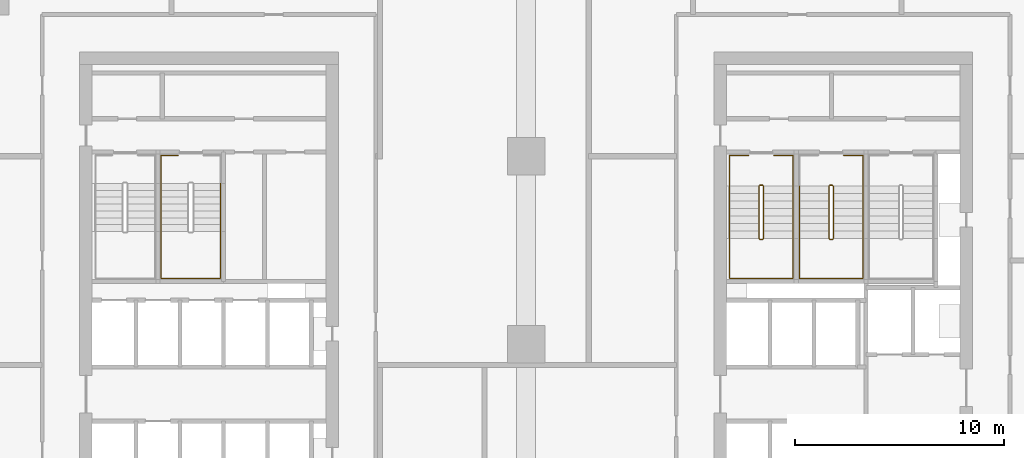
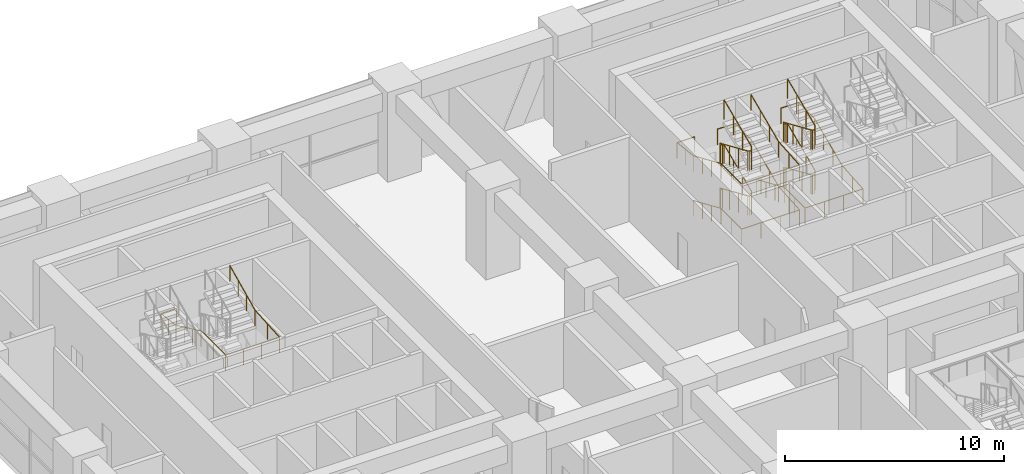
# One storey, part 25 of 26: 6 railings.
"""IFC4 building model written with IfcOpenShell, lengths in metres."""

from ifc_helpers import new_model, si_unit, direction, frame, origin, origin_2d, place, context, subcontext, project, spatial, circle, extrude, material, type_object, element, save


model = new_model("IFC4")

# Units and contexts
model_context = context("Model", 3, precision=1e-05, world=origin(), true_north=direction((0.0, 1.0)))
body_context = subcontext(model_context, "Body", "Model", "MODEL_VIEW")
ifc_project = project(units=[si_unit("LENGTHUNIT", "METRE"), si_unit("AREAUNIT", "SQUARE_METRE"), si_unit("VOLUMEUNIT", "CUBIC_METRE"), si_unit("PLANEANGLEUNIT", "RADIAN"), si_unit("MASSUNIT", "GRAM", prefix="KILO")], contexts=[model_context])

# Site, building, storey
site_placement = place(None, origin())
site = spatial("IfcSite", under=ifc_project, at=site_placement, CompositionType="ELEMENT")
building_placement = place(site_placement, origin())
building = spatial("IfcBuilding", under=site, at=building_placement, Name="Tessera Arch", CompositionType="ELEMENT")
storey_placement = place(building_placement, frame((0.0, 0.0, 72.800048828125)))
storey = spatial("IfcBuildingStorey", under=building, at=storey_placement, Name="L16", CompositionType="ELEMENT", Elevation=72.800048828125)

# Railings
ifc_material_1 = material(Name="Painted steel balustrade", Category="steel")
railing_type_1 = type_object("IfcRailingType", Name="Stair guard 1100", PredefinedType="GUARDRAIL", material=ifc_material_1)
railing_1_placement = place(storey_placement, frame((38.219970703125, 43.6298828125, 0.0)))
element("IfcRailing", 1, at=railing_1_placement, inside=storey, type_object=railing_type_1, Name="L16 S1a stair guard 1", PredefinedType="GUARDRAIL", context=body_context, shape_type="SweptSolid", body=[
    extrude(circle(Radius=0.02392578125, at=origin_2d()), frame((-0.00390625, 0.0, 1.076171875), z_axis=(1.0, 0.0, 0.0), x_axis=(0.0, 1.0, 0.0)), (0.0, 0.0, 1.0), 0.1181640625),
    extrude(circle(Radius=0.02392578125, at=origin_2d()), frame((0.11279296875, 0.0009765625, 1.0732421875), z_axis=(-0.698682510115, -0.217273219609, 0.681641473283), x_axis=(0.296948579431, -0.954893471113, 0.0)), (0.0, 0.0, 1.0), 0.2373046875),
    extrude(circle(Radius=0.02392578125, at=origin_2d()), frame((-0.050048828125, -0.046142578125, 1.230712890625), z_axis=(0.0, -0.917324189904, 0.398141093855), x_axis=(1.0, 0.0, 0.0)), (0.0, 0.0, 1.0), 2.755126953125),
    extrude(circle(Radius=0.02392578125, at=origin_2d()), frame((-0.052978515625, -2.56689453125, 2.326171875), z_axis=(0.707106781187, -0.707106781187, 0.0), x_axis=(0.707106781187, 0.707106781187, 0.0)), (0.0, 0.0, 1.0), 0.078857421875),
    extrude(circle(Radius=0.02392578125, at=origin_2d()), frame((-0.00390625, -2.619873046875, 2.326171875), z_axis=(1.0, 0.0, 0.0), x_axis=(0.0, 1.0, 0.0)), (0.0, 0.0, 1.0), 0.1181640625),
    extrude(circle(Radius=0.02392578125, at=origin_2d()), frame((0.10888671875, -2.62109375, 2.322509765625), z_axis=(0.290469530425, 0.291893400672, 0.911276958196), x_axis=(-0.708833529934, 0.705375805398, 0.0)), (0.0, 0.0, 1.0), 0.179443359375),
    extrude(circle(Radius=0.02392578125, at=origin_2d()), frame((0.159912109375, -2.573486328125, 2.480712890625), z_axis=(0.0, 0.917324189904, 0.398141093855), x_axis=(-1.0, 0.0, 0.0)), (0.0, 0.0, 1.0), 2.755126953125),
    extrude(circle(Radius=0.02392578125, at=origin_2d()), frame((0.163818359375, -0.051025390625, 3.576171875), z_axis=(-0.954764847777, 0.297361876254, 0.0), x_axis=(-0.297361876254, -0.954764847777, 0.0)), (0.0, 0.0, 1.0), 0.175537109375),
    extrude(circle(Radius=0.02392578125, at=origin_2d()), frame((-0.00390625, 0.0, 3.576171875), z_axis=(1.0, 0.0, 0.0), x_axis=(0.0, 1.0, 0.0)), (0.0, 0.0, 1.0), 0.1181640625),
    extrude(circle(Radius=0.02392578125, at=origin_2d()), frame((0.11279296875, 0.0009765625, 3.5732421875), z_axis=(-0.698682510115, -0.217273219609, 0.681641473283), x_axis=(0.296948579431, -0.954893471113, 0.0)), (0.0, 0.0, 1.0), 0.2373046875),
    extrude(circle(Radius=0.02392578125, at=origin_2d()), frame((-0.050048828125, -0.046142578125, 3.730712890625), z_axis=(0.0, -0.917324189904, 0.398141093855), x_axis=(1.0, 0.0, 0.0)), (0.0, 0.0, 1.0), 2.755126953125),
    extrude(circle(Radius=0.02392578125, at=origin_2d()), frame((-0.052978515625, -2.56689453125, 4.826171875), z_axis=(0.707106781187, -0.707106781187, 0.0), x_axis=(0.707106781187, 0.707106781187, 0.0)), (0.0, 0.0, 1.0), 0.078857421875),
    extrude(circle(Radius=0.02392578125, at=origin_2d()), frame((-0.00390625, -2.619873046875, 4.826171875), z_axis=(1.0, 0.0, 0.0), x_axis=(0.0, 1.0, 0.0)), (0.0, 0.0, 1.0), 0.1181640625),
    extrude(circle(Radius=0.02392578125, at=origin_2d()), frame((0.10888671875, -2.62109375, 4.822509765625), z_axis=(0.290469530425, 0.291893400672, 0.911276958196), x_axis=(-0.708833529934, 0.705375805398, 0.0)), (0.0, 0.0, 1.0), 0.179443359375),
    extrude(circle(Radius=0.02392578125, at=origin_2d()), frame((0.159912109375, -2.573486328125, 4.980712890625), z_axis=(0.0, 0.917324189904, 0.398141093855), x_axis=(-1.0, 0.0, 0.0)), (0.0, 0.0, 1.0), 2.755126953125),
    extrude(circle(Radius=0.02099609375, at=origin_2d()), origin(), (0.0, 0.0, 1.0), 1.06396484375),
    extrude(circle(Radius=0.02099609375, at=origin_2d()), frame((0.110107421875, 0.0, 0.0)), (0.0, 0.0, 1.0), 1.06396484375),
    extrude(circle(Radius=0.02099609375, at=origin_2d()), frame((-0.050048828125, -0.0498046875, 0.15625)), (0.0, 0.0, 1.0), 1.06396484375),
    extrude(circle(Radius=0.02099609375, at=origin_2d()), frame((-0.050048828125, -0.889892578125, 0.520751953125)), (0.0, 0.0, 1.0), 1.06396484375),
    extrude(circle(Radius=0.02099609375, at=origin_2d()), frame((-0.050048828125, -1.729736328125, 0.885498046875)), (0.0, 0.0, 1.0), 1.06396484375),
    extrude(circle(Radius=0.02099609375, at=origin_2d()), frame((-0.050048828125, -2.56982421875, 1.25)), (0.0, 0.0, 1.0), 1.06396484375),
    extrude(circle(Radius=0.02099609375, at=origin_2d()), frame((0.0, -2.619873046875, 1.25)), (0.0, 0.0, 1.0), 1.06396484375),
    extrude(circle(Radius=0.02099609375, at=origin_2d()), frame((0.110107421875, -2.619873046875, 1.25)), (0.0, 0.0, 1.0), 1.06396484375),
    extrude(circle(Radius=0.02099609375, at=origin_2d()), frame((0.159912109375, -2.56982421875, 1.40625)), (0.0, 0.0, 1.0), 1.06396484375),
    extrude(circle(Radius=0.02099609375, at=origin_2d()), frame((0.159912109375, -1.729736328125, 1.770751953125)), (0.0, 0.0, 1.0), 1.06396484375),
    extrude(circle(Radius=0.02099609375, at=origin_2d()), frame((0.159912109375, -0.889892578125, 2.135498046875)), (0.0, 0.0, 1.0), 1.06396484375),
    extrude(circle(Radius=0.02099609375, at=origin_2d()), frame((0.159912109375, -0.0498046875, 2.5)), (0.0, 0.0, 1.0), 1.06396484375),
    extrude(circle(Radius=0.02099609375, at=origin_2d()), frame((0.0, 0.0, 2.5)), (0.0, 0.0, 1.0), 1.06396484375),
    extrude(circle(Radius=0.02099609375, at=origin_2d()), frame((0.110107421875, 0.0, 2.5)), (0.0, 0.0, 1.0), 1.06396484375),
    extrude(circle(Radius=0.02099609375, at=origin_2d()), frame((-0.050048828125, -0.0498046875, 2.65625)), (0.0, 0.0, 1.0), 1.06396484375),
    extrude(circle(Radius=0.02099609375, at=origin_2d()), frame((-0.050048828125, -0.889892578125, 3.020751953125)), (0.0, 0.0, 1.0), 1.06396484375),
    extrude(circle(Radius=0.02099609375, at=origin_2d()), frame((-0.050048828125, -1.729736328125, 3.385498046875)), (0.0, 0.0, 1.0), 1.06396484375),
    extrude(circle(Radius=0.02099609375, at=origin_2d()), frame((-0.050048828125, -2.56982421875, 3.75)), (0.0, 0.0, 1.0), 1.06396484375),
    extrude(circle(Radius=0.02099609375, at=origin_2d()), frame((0.0, -2.619873046875, 3.75)), (0.0, 0.0, 1.0), 1.06396484375),
    extrude(circle(Radius=0.02099609375, at=origin_2d()), frame((0.110107421875, -2.619873046875, 3.75)), (0.0, 0.0, 1.0), 1.06396484375),
    extrude(circle(Radius=0.02099609375, at=origin_2d()), frame((0.159912109375, -2.56982421875, 3.90625)), (0.0, 0.0, 1.0), 1.06396484375),
    extrude(circle(Radius=0.02099609375, at=origin_2d()), frame((0.159912109375, -1.729736328125, 4.270751953125)), (0.0, 0.0, 1.0), 1.06396484375),
    extrude(circle(Radius=0.02099609375, at=origin_2d()), frame((0.159912109375, -0.889892578125, 4.635498046875)), (0.0, 0.0, 1.0), 1.06396484375),
    extrude(circle(Radius=0.02099609375, at=origin_2d()), frame((0.159912109375, -0.0498046875, 5.0)), (0.0, 0.0, 1.0), 1.06396484375),
])
railing_2_placement = place(storey_placement, frame((41.570068359375, 43.6298828125, 0.0)))
element("IfcRailing", 2, at=railing_2_placement, inside=storey, type_object=railing_type_1, Name="L16 S1b stair guard 1", PredefinedType="GUARDRAIL", context=body_context, shape_type="SweptSolid", body=[
    extrude(circle(Radius=0.02392578125, at=origin_2d()), frame((-0.00390625, 0.0, 1.076171875), z_axis=(1.0, 0.0, 0.0), x_axis=(0.0, 1.0, 0.0)), (0.0, 0.0, 1.0), 0.117919921875),
    extrude(circle(Radius=0.02392578125, at=origin_2d()), frame((0.112548828125, 0.0009765625, 1.0732421875), z_axis=(-0.698136755474, -0.217434958957, 0.682148890844), x_axis=(0.297361876254, -0.954764847777, 0.0)), (0.0, 0.0, 1.0), 0.237060546875),
    extrude(circle(Radius=0.02392578125, at=origin_2d()), frame((-0.050048828125, -0.046142578125, 1.230712890625), z_axis=(0.0, -0.917324189904, 0.398141093855), x_axis=(1.0, 0.0, 0.0)), (0.0, 0.0, 1.0), 2.755126953125),
    extrude(circle(Radius=0.02392578125, at=origin_2d()), frame((-0.052978515625, -2.56689453125, 2.326171875), z_axis=(0.707106781187, -0.707106781187, 0.0), x_axis=(0.707106781187, 0.707106781187, 0.0)), (0.0, 0.0, 1.0), 0.078857421875),
    extrude(circle(Radius=0.02392578125, at=origin_2d()), frame((-0.00390625, -2.619873046875, 2.326171875), z_axis=(1.0, 0.0, 0.0), x_axis=(0.0, 1.0, 0.0)), (0.0, 0.0, 1.0), 0.117919921875),
    extrude(circle(Radius=0.02392578125, at=origin_2d()), frame((0.108642578125, -2.62109375, 2.322509765625), z_axis=(0.29177245553, 0.29177245553, 0.91089937336), x_axis=(-0.707106781187, 0.707106781187, 0.0)), (0.0, 0.0, 1.0), 0.179443359375),
    extrude(circle(Radius=0.02392578125, at=origin_2d()), frame((0.159912109375, -2.573486328125, 2.480712890625), z_axis=(0.0, 0.917324189904, 0.398141093855), x_axis=(-1.0, 0.0, 0.0)), (0.0, 0.0, 1.0), 2.755126953125),
    extrude(circle(Radius=0.02392578125, at=origin_2d()), frame((0.163818359375, -0.051025390625, 3.576171875), z_axis=(-0.954764847777, 0.297361876254, 0.0), x_axis=(-0.297361876254, -0.954764847777, 0.0)), (0.0, 0.0, 1.0), 0.175537109375),
    extrude(circle(Radius=0.02392578125, at=origin_2d()), frame((-0.00390625, 0.0, 3.576171875), z_axis=(1.0, 0.0, 0.0), x_axis=(0.0, 1.0, 0.0)), (0.0, 0.0, 1.0), 0.117919921875),
    extrude(circle(Radius=0.02392578125, at=origin_2d()), frame((0.112548828125, 0.0009765625, 3.5732421875), z_axis=(-0.698136755474, -0.217434958957, 0.682148890844), x_axis=(0.297361876254, -0.954764847777, 0.0)), (0.0, 0.0, 1.0), 0.237060546875),
    extrude(circle(Radius=0.02392578125, at=origin_2d()), frame((-0.050048828125, -0.046142578125, 3.730712890625), z_axis=(0.0, -0.917324189904, 0.398141093855), x_axis=(1.0, 0.0, 0.0)), (0.0, 0.0, 1.0), 2.755126953125),
    extrude(circle(Radius=0.02392578125, at=origin_2d()), frame((-0.052978515625, -2.56689453125, 4.826171875), z_axis=(0.707106781187, -0.707106781187, 0.0), x_axis=(0.707106781187, 0.707106781187, 0.0)), (0.0, 0.0, 1.0), 0.078857421875),
    extrude(circle(Radius=0.02392578125, at=origin_2d()), frame((-0.00390625, -2.619873046875, 4.826171875), z_axis=(1.0, 0.0, 0.0), x_axis=(0.0, 1.0, 0.0)), (0.0, 0.0, 1.0), 0.117919921875),
    extrude(circle(Radius=0.02392578125, at=origin_2d()), frame((0.108642578125, -2.62109375, 4.822509765625), z_axis=(0.29177245553, 0.29177245553, 0.91089937336), x_axis=(-0.707106781187, 0.707106781187, 0.0)), (0.0, 0.0, 1.0), 0.179443359375),
    extrude(circle(Radius=0.02392578125, at=origin_2d()), frame((0.159912109375, -2.573486328125, 4.980712890625), z_axis=(0.0, 0.917324189904, 0.398141093855), x_axis=(-1.0, 0.0, 0.0)), (0.0, 0.0, 1.0), 2.755126953125),
    extrude(circle(Radius=0.02099609375, at=origin_2d()), origin(), (0.0, 0.0, 1.0), 1.06396484375),
    extrude(circle(Radius=0.02099609375, at=origin_2d()), frame((0.10986328125, 0.0, 0.0)), (0.0, 0.0, 1.0), 1.06396484375),
    extrude(circle(Radius=0.02099609375, at=origin_2d()), frame((-0.050048828125, -0.0498046875, 0.15625)), (0.0, 0.0, 1.0), 1.06396484375),
    extrude(circle(Radius=0.02099609375, at=origin_2d()), frame((-0.050048828125, -0.889892578125, 0.520751953125)), (0.0, 0.0, 1.0), 1.06396484375),
    extrude(circle(Radius=0.02099609375, at=origin_2d()), frame((-0.050048828125, -1.729736328125, 0.885498046875)), (0.0, 0.0, 1.0), 1.06396484375),
    extrude(circle(Radius=0.02099609375, at=origin_2d()), frame((-0.050048828125, -2.56982421875, 1.25)), (0.0, 0.0, 1.0), 1.06396484375),
    extrude(circle(Radius=0.02099609375, at=origin_2d()), frame((0.0, -2.619873046875, 1.25)), (0.0, 0.0, 1.0), 1.06396484375),
    extrude(circle(Radius=0.02099609375, at=origin_2d()), frame((0.10986328125, -2.619873046875, 1.25)), (0.0, 0.0, 1.0), 1.06396484375),
    extrude(circle(Radius=0.02099609375, at=origin_2d()), frame((0.159912109375, -2.56982421875, 1.40625)), (0.0, 0.0, 1.0), 1.06396484375),
    extrude(circle(Radius=0.02099609375, at=origin_2d()), frame((0.159912109375, -1.729736328125, 1.770751953125)), (0.0, 0.0, 1.0), 1.06396484375),
    extrude(circle(Radius=0.02099609375, at=origin_2d()), frame((0.159912109375, -0.889892578125, 2.135498046875)), (0.0, 0.0, 1.0), 1.06396484375),
    extrude(circle(Radius=0.02099609375, at=origin_2d()), frame((0.159912109375, -0.0498046875, 2.5)), (0.0, 0.0, 1.0), 1.06396484375),
    extrude(circle(Radius=0.02099609375, at=origin_2d()), frame((0.0, 0.0, 2.5)), (0.0, 0.0, 1.0), 1.06396484375),
    extrude(circle(Radius=0.02099609375, at=origin_2d()), frame((0.10986328125, 0.0, 2.5)), (0.0, 0.0, 1.0), 1.06396484375),
    extrude(circle(Radius=0.02099609375, at=origin_2d()), frame((-0.050048828125, -0.0498046875, 2.65625)), (0.0, 0.0, 1.0), 1.06396484375),
    extrude(circle(Radius=0.02099609375, at=origin_2d()), frame((-0.050048828125, -0.889892578125, 3.020751953125)), (0.0, 0.0, 1.0), 1.06396484375),
    extrude(circle(Radius=0.02099609375, at=origin_2d()), frame((-0.050048828125, -1.729736328125, 3.385498046875)), (0.0, 0.0, 1.0), 1.06396484375),
    extrude(circle(Radius=0.02099609375, at=origin_2d()), frame((-0.050048828125, -2.56982421875, 3.75)), (0.0, 0.0, 1.0), 1.06396484375),
    extrude(circle(Radius=0.02099609375, at=origin_2d()), frame((0.0, -2.619873046875, 3.75)), (0.0, 0.0, 1.0), 1.06396484375),
    extrude(circle(Radius=0.02099609375, at=origin_2d()), frame((0.10986328125, -2.619873046875, 3.75)), (0.0, 0.0, 1.0), 1.06396484375),
    extrude(circle(Radius=0.02099609375, at=origin_2d()), frame((0.159912109375, -2.56982421875, 3.90625)), (0.0, 0.0, 1.0), 1.06396484375),
    extrude(circle(Radius=0.02099609375, at=origin_2d()), frame((0.159912109375, -1.729736328125, 4.270751953125)), (0.0, 0.0, 1.0), 1.06396484375),
    extrude(circle(Radius=0.02099609375, at=origin_2d()), frame((0.159912109375, -0.889892578125, 4.635498046875)), (0.0, 0.0, 1.0), 1.06396484375),
    extrude(circle(Radius=0.02099609375, at=origin_2d()), frame((0.159912109375, -0.0498046875, 5.0)), (0.0, 0.0, 1.0), 1.06396484375),
])
ifc_material_2 = material(Name="Painted steel handrail", Category="steel")
railing_type_2 = type_object("IfcRailingType", Name="Stair handrail 900", PredefinedType="HANDRAIL", material=ifc_material_2)
railing_3_placement = place(storey_placement, frame((36.75, 43.580078125, 0.15625)))
element("IfcRailing", 3, at=railing_3_placement, inside=storey, type_object=railing_type_2, Name="L16 S1a stair handrail", PredefinedType="HANDRAIL", context=body_context, shape_type="SweptSolid", body=[
    extrude(circle(Radius=0.02392578125, at=origin_2d()), frame((0.0, 0.003662109375, 0.874267578125), z_axis=(0.0, -0.917324189904, 0.398141093855), x_axis=(1.0, 0.0, 0.0)), (0.0, 0.0, 1.0), 2.755126953125),
    extrude(circle(Radius=0.02392578125, at=origin_2d()), frame((0.0, -2.51611328125, 1.9697265625), z_axis=(0.0, -1.0, 0.0), x_axis=(1.0, 0.0, 0.0)), (0.0, 0.0, 1.0), 1.918212890625),
    extrude(circle(Radius=0.02392578125, at=origin_2d()), frame((-0.00390625, -4.43017578125, 1.9697265625), z_axis=(1.0, 0.0, 0.0), x_axis=(0.0, 1.0, 0.0)), (0.0, 0.0, 1.0), 3.05810546875),
    extrude(circle(Radius=0.02392578125, at=origin_2d()), frame((3.050048828125, -4.43408203125, 1.96923828125), z_axis=(0.0, 0.996671109807, 0.081527289146), x_axis=(-1.0, 0.0, 0.0)), (0.0, 0.0, 1.0), 1.924560546875),
    extrude(circle(Radius=0.02392578125, at=origin_2d()), frame((3.050048828125, -2.523681640625, 2.124267578125), z_axis=(0.0, 0.917324189904, 0.398141093855), x_axis=(-1.0, 0.0, 0.0)), (0.0, 0.0, 1.0), 2.755126953125),
    extrude(circle(Radius=0.02392578125, at=origin_2d()), frame((3.050048828125, -0.00390625, 3.2197265625), z_axis=(0.0, 1.0, 0.0), x_axis=(-1.0, 0.0, 0.0)), (0.0, 0.0, 1.0), 1.47802734375),
    extrude(circle(Radius=0.02392578125, at=origin_2d()), frame((3.053955078125, 1.469970703125, 3.2197265625), z_axis=(-1.0, 0.0, 0.0), x_axis=(0.0, -1.0, 0.0)), (0.0, 0.0, 1.0), 0.93310546875),
    extrude(circle(Radius=0.02099609375, at=origin_2d()), origin(), (0.0, 0.0, 1.0), 0.86376953125),
    extrude(circle(Radius=0.02099609375, at=origin_2d()), frame((0.0, -0.840087890625, 0.364501953125)), (0.0, 0.0, 1.0), 0.86376953125),
    extrude(circle(Radius=0.02099609375, at=origin_2d()), frame((0.0, -1.679931640625, 0.729248046875)), (0.0, 0.0, 1.0), 0.86376953125),
    extrude(circle(Radius=0.02099609375, at=origin_2d()), frame((0.0, -2.52001953125, 1.09375)), (0.0, 0.0, 1.0), 0.86376953125),
    extrude(circle(Radius=0.02099609375, at=origin_2d()), frame((0.0, -3.47509765625, 1.09375)), (0.0, 0.0, 1.0), 0.86376953125),
    extrude(circle(Radius=0.02099609375, at=origin_2d()), frame((0.0, -4.43017578125, 1.09375)), (0.0, 0.0, 1.0), 0.86376953125),
    extrude(circle(Radius=0.02099609375, at=origin_2d()), frame((1.0166015625, -4.43017578125, 1.09375)), (0.0, 0.0, 1.0), 0.86376953125),
    extrude(circle(Radius=0.02099609375, at=origin_2d()), frame((2.033447265625, -4.43017578125, 1.09375)), (0.0, 0.0, 1.0), 0.86376953125),
    extrude(circle(Radius=0.02099609375, at=origin_2d()), frame((3.050048828125, -4.43017578125, 1.09375)), (0.0, 0.0, 1.0), 0.86376953125),
    extrude(circle(Radius=0.02099609375, at=origin_2d()), frame((3.050048828125, -3.47509765625, 1.171875)), (0.0, 0.0, 1.0), 0.86376953125),
    extrude(circle(Radius=0.02099609375, at=origin_2d()), frame((3.050048828125, -2.52001953125, 1.25)), (0.0, 0.0, 1.0), 0.86376953125),
    extrude(circle(Radius=0.02099609375, at=origin_2d()), frame((3.050048828125, -1.679931640625, 1.614501953125)), (0.0, 0.0, 1.0), 0.86376953125),
    extrude(circle(Radius=0.02099609375, at=origin_2d()), frame((3.050048828125, -0.840087890625, 1.979248046875)), (0.0, 0.0, 1.0), 0.86376953125),
    extrude(circle(Radius=0.02099609375, at=origin_2d()), frame((3.050048828125, 0.0, 2.34375)), (0.0, 0.0, 1.0), 0.86376953125),
    extrude(circle(Radius=0.02099609375, at=origin_2d()), frame((3.050048828125, 0.73486328125, 2.34375)), (0.0, 0.0, 1.0), 0.86376953125),
    extrude(circle(Radius=0.02099609375, at=origin_2d()), frame((3.050048828125, 1.469970703125, 2.34375)), (0.0, 0.0, 1.0), 0.86376953125),
    extrude(circle(Radius=0.02099609375, at=origin_2d()), frame((2.125, 1.469970703125, 2.34375)), (0.0, 0.0, 1.0), 0.86376953125),
])
railing_4_placement = place(storey_placement, frame((37.675048828125, 45.050048828125, 2.5)))
element("IfcRailing", 4, at=railing_4_placement, inside=storey, type_object=railing_type_2, Name="L16 S1a stair handrail 2", PredefinedType="HANDRAIL", context=body_context, shape_type="SweptSolid", body=[
    extrude(circle(Radius=0.02392578125, at=origin_2d()), frame((0.00390625, 0.0, 0.8759765625), z_axis=(-1.0, 0.0, 0.0), x_axis=(0.0, -1.0, 0.0)), (0.0, 0.0, 1.0), 0.93310546875),
    extrude(circle(Radius=0.02392578125, at=origin_2d()), frame((-0.925048828125, 0.00390625, 0.87548828125), z_axis=(0.0, -0.994398150376, 0.105699188879), x_axis=(1.0, 0.0, 0.0)), (0.0, 0.0, 1.0), 1.486328125),
    extrude(circle(Radius=0.02392578125, at=origin_2d()), frame((-0.925048828125, -1.46630859375, 1.030517578125), z_axis=(0.0, -0.917324189904, 0.398141093855), x_axis=(1.0, 0.0, 0.0)), (0.0, 0.0, 1.0), 2.755126953125),
    extrude(circle(Radius=0.02392578125, at=origin_2d()), frame((-0.925048828125, -3.986083984375, 2.1259765625), z_axis=(0.0, -1.0, 0.0), x_axis=(1.0, 0.0, 0.0)), (0.0, 0.0, 1.0), 1.918212890625),
    extrude(circle(Radius=0.02392578125, at=origin_2d()), frame((-0.928955078125, -5.900146484375, 2.1259765625), z_axis=(1.0, 0.0, 0.0), x_axis=(0.0, 1.0, 0.0)), (0.0, 0.0, 1.0), 3.05810546875),
    extrude(circle(Radius=0.02392578125, at=origin_2d()), frame((2.125, -5.904052734375, 2.12548828125), z_axis=(0.0, 0.996671109807, 0.081527289146), x_axis=(-1.0, 0.0, 0.0)), (0.0, 0.0, 1.0), 1.924560546875),
    extrude(circle(Radius=0.02392578125, at=origin_2d()), frame((2.125, -3.99365234375, 2.280517578125), z_axis=(0.0, 0.917324189904, 0.398141093855), x_axis=(-1.0, 0.0, 0.0)), (0.0, 0.0, 1.0), 2.755126953125),
    extrude(circle(Radius=0.02099609375, at=origin_2d()), origin(), (0.0, 0.0, 1.0), 0.86376953125),
    extrude(circle(Radius=0.02099609375, at=origin_2d()), frame((-0.925048828125, 0.0, 0.0)), (0.0, 0.0, 1.0), 0.86376953125),
    extrude(circle(Radius=0.02099609375, at=origin_2d()), frame((-0.925048828125, -0.73486328125, 0.078125)), (0.0, 0.0, 1.0), 0.86376953125),
    extrude(circle(Radius=0.02099609375, at=origin_2d()), frame((-0.925048828125, -1.469970703125, 0.15625)), (0.0, 0.0, 1.0), 0.86376953125),
    extrude(circle(Radius=0.02099609375, at=origin_2d()), frame((-0.925048828125, -2.31005859375, 0.520751953125)), (0.0, 0.0, 1.0), 0.86376953125),
    extrude(circle(Radius=0.02099609375, at=origin_2d()), frame((-0.925048828125, -3.14990234375, 0.885498046875)), (0.0, 0.0, 1.0), 0.86376953125),
    extrude(circle(Radius=0.02099609375, at=origin_2d()), frame((-0.925048828125, -3.989990234375, 1.25)), (0.0, 0.0, 1.0), 0.86376953125),
    extrude(circle(Radius=0.02099609375, at=origin_2d()), frame((-0.925048828125, -4.945068359375, 1.25)), (0.0, 0.0, 1.0), 0.86376953125),
    extrude(circle(Radius=0.02099609375, at=origin_2d()), frame((-0.925048828125, -5.900146484375, 1.25)), (0.0, 0.0, 1.0), 0.86376953125),
    extrude(circle(Radius=0.02099609375, at=origin_2d()), frame((0.091552734375, -5.900146484375, 1.25)), (0.0, 0.0, 1.0), 0.86376953125),
    extrude(circle(Radius=0.02099609375, at=origin_2d()), frame((1.1083984375, -5.900146484375, 1.25)), (0.0, 0.0, 1.0), 0.86376953125),
    extrude(circle(Radius=0.02099609375, at=origin_2d()), frame((2.125, -5.900146484375, 1.25)), (0.0, 0.0, 1.0), 0.86376953125),
    extrude(circle(Radius=0.02099609375, at=origin_2d()), frame((2.125, -4.945068359375, 1.328125)), (0.0, 0.0, 1.0), 0.86376953125),
    extrude(circle(Radius=0.02099609375, at=origin_2d()), frame((2.125, -3.989990234375, 1.40625)), (0.0, 0.0, 1.0), 0.86376953125),
    extrude(circle(Radius=0.02099609375, at=origin_2d()), frame((2.125, -3.14990234375, 1.770751953125)), (0.0, 0.0, 1.0), 0.86376953125),
    extrude(circle(Radius=0.02099609375, at=origin_2d()), frame((2.125, -2.31005859375, 2.135498046875)), (0.0, 0.0, 1.0), 0.86376953125),
    extrude(circle(Radius=0.02099609375, at=origin_2d()), frame((2.125, -1.469970703125, 2.5)), (0.0, 0.0, 1.0), 0.86376953125),
])
railing_5_placement = place(storey_placement, frame((40.10009765625, 43.580078125, 0.15625)))
element("IfcRailing", 5, at=railing_5_placement, inside=storey, type_object=railing_type_2, Name="L16 S1b stair handrail", PredefinedType="HANDRAIL", context=body_context, shape_type="SweptSolid", body=[
    extrude(circle(Radius=0.02392578125, at=origin_2d()), frame((0.0, 0.003662109375, 0.874267578125), z_axis=(0.0, -0.917324189904, 0.398141093855), x_axis=(1.0, 0.0, 0.0)), (0.0, 0.0, 1.0), 2.755126953125),
    extrude(circle(Radius=0.02392578125, at=origin_2d()), frame((0.0, -2.51611328125, 1.9697265625), z_axis=(0.0, -1.0, 0.0), x_axis=(1.0, 0.0, 0.0)), (0.0, 0.0, 1.0), 1.918212890625),
    extrude(circle(Radius=0.02392578125, at=origin_2d()), frame((-0.00390625, -4.43017578125, 1.9697265625), z_axis=(1.0, 0.0, 0.0), x_axis=(0.0, 1.0, 0.0)), (0.0, 0.0, 1.0), 3.057861328125),
    extrude(circle(Radius=0.02392578125, at=origin_2d()), frame((3.0498046875, -4.43408203125, 1.96923828125), z_axis=(0.0, 0.996671109807, 0.081527289146), x_axis=(-1.0, 0.0, 0.0)), (0.0, 0.0, 1.0), 1.924560546875),
    extrude(circle(Radius=0.02392578125, at=origin_2d()), frame((3.0498046875, -2.523681640625, 2.124267578125), z_axis=(0.0, 0.917324189904, 0.398141093855), x_axis=(-1.0, 0.0, 0.0)), (0.0, 0.0, 1.0), 2.755126953125),
    extrude(circle(Radius=0.02392578125, at=origin_2d()), frame((3.0498046875, -0.00390625, 3.2197265625), z_axis=(0.0, 1.0, 0.0), x_axis=(-1.0, 0.0, 0.0)), (0.0, 0.0, 1.0), 1.47802734375),
    extrude(circle(Radius=0.02392578125, at=origin_2d()), frame((3.0537109375, 1.469970703125, 3.2197265625), z_axis=(-1.0, 0.0, 0.0), x_axis=(0.0, -1.0, 0.0)), (0.0, 0.0, 1.0), 0.932861328125),
    extrude(circle(Radius=0.02099609375, at=origin_2d()), origin(), (0.0, 0.0, 1.0), 0.86376953125),
    extrude(circle(Radius=0.02099609375, at=origin_2d()), frame((0.0, -0.840087890625, 0.364501953125)), (0.0, 0.0, 1.0), 0.86376953125),
    extrude(circle(Radius=0.02099609375, at=origin_2d()), frame((0.0, -1.679931640625, 0.729248046875)), (0.0, 0.0, 1.0), 0.86376953125),
    extrude(circle(Radius=0.02099609375, at=origin_2d()), frame((0.0, -2.52001953125, 1.09375)), (0.0, 0.0, 1.0), 0.86376953125),
    extrude(circle(Radius=0.02099609375, at=origin_2d()), frame((0.0, -3.47509765625, 1.09375)), (0.0, 0.0, 1.0), 0.86376953125),
    extrude(circle(Radius=0.02099609375, at=origin_2d()), frame((0.0, -4.43017578125, 1.09375)), (0.0, 0.0, 1.0), 0.86376953125),
    extrude(circle(Radius=0.02099609375, at=origin_2d()), frame((1.0166015625, -4.43017578125, 1.09375)), (0.0, 0.0, 1.0), 0.86376953125),
    extrude(circle(Radius=0.02099609375, at=origin_2d()), frame((2.033203125, -4.43017578125, 1.09375)), (0.0, 0.0, 1.0), 0.86376953125),
    extrude(circle(Radius=0.02099609375, at=origin_2d()), frame((3.0498046875, -4.43017578125, 1.09375)), (0.0, 0.0, 1.0), 0.86376953125),
    extrude(circle(Radius=0.02099609375, at=origin_2d()), frame((3.0498046875, -3.47509765625, 1.171875)), (0.0, 0.0, 1.0), 0.86376953125),
    extrude(circle(Radius=0.02099609375, at=origin_2d()), frame((3.0498046875, -2.52001953125, 1.25)), (0.0, 0.0, 1.0), 0.86376953125),
    extrude(circle(Radius=0.02099609375, at=origin_2d()), frame((3.0498046875, -1.679931640625, 1.614501953125)), (0.0, 0.0, 1.0), 0.86376953125),
    extrude(circle(Radius=0.02099609375, at=origin_2d()), frame((3.0498046875, -0.840087890625, 1.979248046875)), (0.0, 0.0, 1.0), 0.86376953125),
    extrude(circle(Radius=0.02099609375, at=origin_2d()), frame((3.0498046875, 0.0, 2.34375)), (0.0, 0.0, 1.0), 0.86376953125),
    extrude(circle(Radius=0.02099609375, at=origin_2d()), frame((3.0498046875, 0.73486328125, 2.34375)), (0.0, 0.0, 1.0), 0.86376953125),
    extrude(circle(Radius=0.02099609375, at=origin_2d()), frame((3.0498046875, 1.469970703125, 2.34375)), (0.0, 0.0, 1.0), 0.86376953125),
    extrude(circle(Radius=0.02099609375, at=origin_2d()), frame((2.125, 1.469970703125, 2.34375)), (0.0, 0.0, 1.0), 0.86376953125),
])
railing_6_placement = place(storey_placement, frame((10.324951171875, 45.050048828125, 2.5)))
element("IfcRailing", 6, at=railing_6_placement, inside=storey, type_object=railing_type_2, Name="L16 S2b stair handrail 2", PredefinedType="HANDRAIL", context=body_context, shape_type="SweptSolid", body=[
    extrude(circle(Radius=0.02392578125, at=origin_2d()), frame((0.00390625, 0.0, 0.8759765625), z_axis=(-1.0, 0.0, 0.0), x_axis=(0.0, -1.0, 0.0)), (0.0, 0.0, 1.0), 0.8330078125),
    extrude(circle(Radius=0.02392578125, at=origin_2d()), frame((-0.824951171875, 0.00390625, 0.87548828125), z_axis=(0.0, -0.99336954172, 0.114965010253), x_axis=(1.0, 0.0, 0.0)), (0.0, 0.0, 1.0), 1.3671875),
    extrude(circle(Radius=0.02392578125, at=origin_2d()), frame((-0.824951171875, -1.346435546875, 1.0302734375), z_axis=(0.0, -0.903811734687, 0.427930307694), x_axis=(1.0, 0.0, 0.0)), (0.0, 0.0, 1.0), 2.56396484375),
    extrude(circle(Radius=0.02392578125, at=origin_2d()), frame((-0.824951171875, -3.65625, 2.1259765625), z_axis=(0.0, -1.0, 0.0), x_axis=(1.0, 0.0, 0.0)), (0.0, 0.0, 1.0), 2.248046875),
    extrude(circle(Radius=0.02392578125, at=origin_2d()), frame((-0.828857421875, -5.900146484375, 2.1259765625), z_axis=(1.0, 0.0, 0.0), x_axis=(0.0, 1.0, 0.0)), (0.0, 0.0, 1.0), 2.858154296875),
    extrude(circle(Radius=0.02392578125, at=origin_2d()), frame((2.025146484375, -5.904052734375, 2.12548828125), z_axis=(0.0, 0.997575978536, 0.069585681337), x_axis=(-1.0, 0.0, 0.0)), (0.0, 0.0, 1.0), 2.25341796875),
    extrude(circle(Radius=0.02392578125, at=origin_2d()), frame((2.025146484375, -3.663818359375, 2.2802734375), z_axis=(0.0, 0.903811734687, 0.427930307694), x_axis=(-1.0, 0.0, 0.0)), (0.0, 0.0, 1.0), 2.56396484375),
    extrude(circle(Radius=0.02099609375, at=origin_2d()), origin(), (0.0, 0.0, 1.0), 0.86376953125),
    extrude(circle(Radius=0.02099609375, at=origin_2d()), frame((-0.824951171875, 0.0, 0.0)), (0.0, 0.0, 1.0), 0.86376953125),
    extrude(circle(Radius=0.02099609375, at=origin_2d()), frame((-0.824951171875, -0.675048828125, 0.078125)), (0.0, 0.0, 1.0), 0.86376953125),
    extrude(circle(Radius=0.02099609375, at=origin_2d()), frame((-0.824951171875, -1.35009765625, 0.15625)), (0.0, 0.0, 1.0), 0.86376953125),
    extrude(circle(Radius=0.02099609375, at=origin_2d()), frame((-0.824951171875, -2.1201171875, 0.520751953125)), (0.0, 0.0, 1.0), 0.86376953125),
    extrude(circle(Radius=0.02099609375, at=origin_2d()), frame((-0.824951171875, -2.89013671875, 0.885498046875)), (0.0, 0.0, 1.0), 0.86376953125),
    extrude(circle(Radius=0.02099609375, at=origin_2d()), frame((-0.824951171875, -3.66015625, 1.25)), (0.0, 0.0, 1.0), 0.86376953125),
    extrude(circle(Radius=0.02099609375, at=origin_2d()), frame((-0.824951171875, -4.7802734375, 1.25)), (0.0, 0.0, 1.0), 0.86376953125),
    extrude(circle(Radius=0.02099609375, at=origin_2d()), frame((-0.824951171875, -5.900146484375, 1.25)), (0.0, 0.0, 1.0), 0.86376953125),
    extrude(circle(Radius=0.02099609375, at=origin_2d()), frame((0.125, -5.900146484375, 1.25)), (0.0, 0.0, 1.0), 0.86376953125),
    extrude(circle(Radius=0.02099609375, at=origin_2d()), frame((1.0751953125, -5.900146484375, 1.25)), (0.0, 0.0, 1.0), 0.86376953125),
    extrude(circle(Radius=0.02099609375, at=origin_2d()), frame((2.025146484375, -5.900146484375, 1.25)), (0.0, 0.0, 1.0), 0.86376953125),
    extrude(circle(Radius=0.02099609375, at=origin_2d()), frame((2.025146484375, -4.7802734375, 1.328125)), (0.0, 0.0, 1.0), 0.86376953125),
    extrude(circle(Radius=0.02099609375, at=origin_2d()), frame((2.025146484375, -3.66015625, 1.40625)), (0.0, 0.0, 1.0), 0.86376953125),
    extrude(circle(Radius=0.02099609375, at=origin_2d()), frame((2.025146484375, -2.89013671875, 1.770751953125)), (0.0, 0.0, 1.0), 0.86376953125),
    extrude(circle(Radius=0.02099609375, at=origin_2d()), frame((2.025146484375, -2.1201171875, 2.135498046875)), (0.0, 0.0, 1.0), 0.86376953125),
    extrude(circle(Radius=0.02099609375, at=origin_2d()), frame((2.025146484375, -1.35009765625, 2.5)), (0.0, 0.0, 1.0), 0.86376953125),
])

save(model, "model.ifc")
